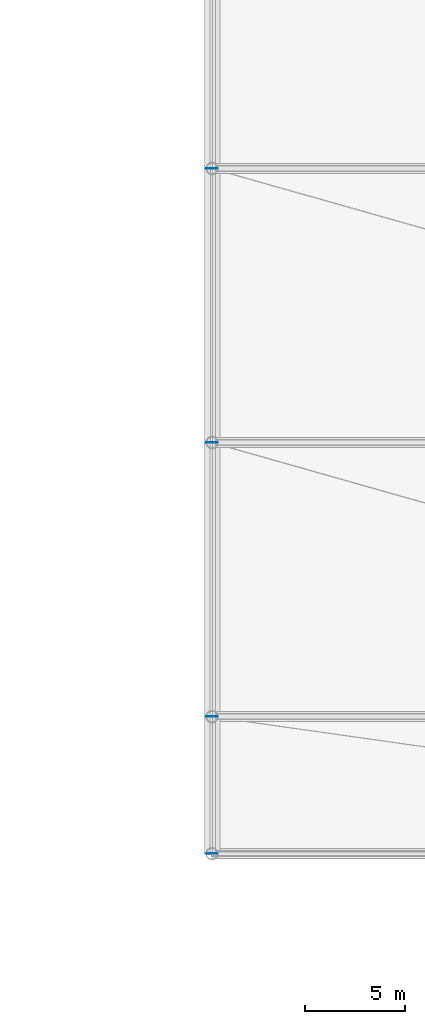
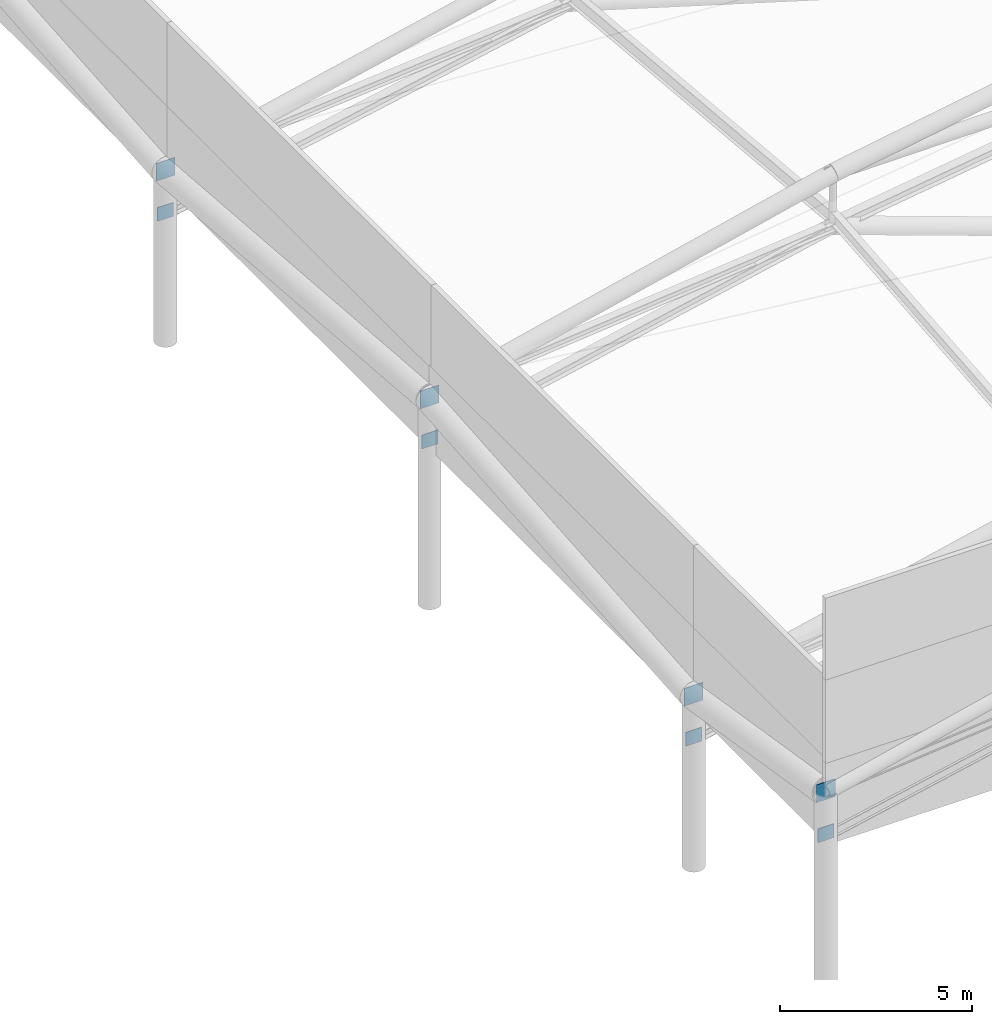
# One storey, part 79 of 113: 8 plates.
"""IFC4 building model written with IfcOpenShell, lengths in metres."""

from ifc_helpers import new_model, si_unit, direction, frame, origin, origin_2d, place, context, subcontext, project, spatial, rectangle, extrude, material, layer, layer_set, type_object, element, save


model = new_model("IFC4")

# Units and contexts
model_context = context("Model", 3, precision=1e-05, world=origin(), true_north=direction((0.0, 1.0)))
body_context = subcontext(model_context, "Body", "Model", "MODEL_VIEW")
ifc_project = project(units=[si_unit("LENGTHUNIT", "METRE"), si_unit("AREAUNIT", "SQUARE_METRE"), si_unit("VOLUMEUNIT", "CUBIC_METRE"), si_unit("PLANEANGLEUNIT", "RADIAN"), si_unit("MASSUNIT", "GRAM", prefix="KILO")], contexts=[model_context])

# Site, building, storey
site_placement = place(None, origin())
site = spatial("IfcSite", under=ifc_project, at=site_placement, CompositionType="ELEMENT")
building_placement = place(site_placement, origin())
building = spatial("IfcBuilding", under=site, at=building_placement, Name="Linyun Crest Stadium", CompositionType="ELEMENT")
storey_placement = place(building_placement, frame((0.0, 0.0, 26.39990234375)))
storey = spatial("IfcBuildingStorey", under=building, at=storey_placement, Name="L06", CompositionType="ELEMENT", Elevation=26.39990234375)

# Plates
ifc_material_1 = material(Name="Steel Q355C", Category="steel")
ifc_layer_1 = layer(ifc_material_1, 0.02001953125)
ifc_layer_set_1 = layer_set([ifc_layer_1], Name="Steel Q355C")
plate_type_1 = type_object("IfcPlateType", Name="EP01", PredefinedType="USERDEFINED", material=ifc_layer_set_1)
for number, where, z_axis, x_axis, name in (
    (1, (35.5, -46.0, 6.27294921875), (0.0, 0.0, 1.0), (1.0, 0.0, 0.0), "Canopy tip tube end plate EP01 110"),
    (2, (35.5, -39.125, 5.16796875), (0.0, 0.0, 1.0), (1.0, 0.0, 0.0), "Canopy tip tube end plate EP01 123"),
    (3, (35.5, -25.375, 6.27294921875), (0.0, 0.0, 1.0), (1.0, 0.0, 0.0), "Canopy tip tube end plate EP01 136"),
    (4, (35.5, -11.625, 5.16796875), (0.0, 0.0, 1.0), (1.0, 0.0, 0.0), "Canopy tip tube end plate EP01 149"),
):
    element("IfcPlate", number, at=place(storey_placement, frame(where, z_axis=z_axis, x_axis=x_axis)), inside=storey, type_object=plate_type_1, Name=name, ObjectType="END PLATE", PredefinedType="USERDEFINED", context=body_context, shape_type="SweptSolid", body=[
        extrude(rectangle(XDim=0.56005859375, YDim=0.02001953125, at=origin_2d()), origin(), (0.0, 0.0, 1.0), 0.56005859375),
    ])
ifc_material_2 = material(Name="Steel Q355C", Category="steel")
ifc_layer_2 = layer(ifc_material_2, 0.02392578125)
ifc_layer_set_2 = layer_set([ifc_layer_2], Name="Steel Q355C")
plate_type_2 = type_object("IfcPlateType", Name="NP01", PredefinedType="USERDEFINED", material=ifc_layer_set_2)
for number, where, z_axis, x_axis, name in (
    (5, (35.5, -46.0, 4.981201171875), (0.0, 0.0, 1.0), (1.0, 0.0, 0.0), "Roof bottom-chord node gusset plate NP01 116"),
    (6, (35.5, -39.125, 3.876220703125), (0.0, 0.0, 1.0), (1.0, 0.0, 0.0), "Roof bottom-chord node gusset plate NP01 129"),
    (7, (35.5, -25.375, 4.981201171875), (0.0, 0.0, 1.0), (1.0, 0.0, 0.0), "Roof bottom-chord node gusset plate NP01 142"),
    (8, (35.5, -11.625, 3.876220703125), (0.0, 0.0, 1.0), (1.0, 0.0, 0.0), "Roof bottom-chord node gusset plate NP01 155"),
):
    element("IfcPlate", number, at=place(storey_placement, frame(where, z_axis=z_axis, x_axis=x_axis)), inside=storey, type_object=plate_type_2, Name=name, ObjectType="GUSSET PLATE", PredefinedType="USERDEFINED", context=body_context, shape_type="SweptSolid", body=[
        extrude(rectangle(XDim=0.47998046875, YDim=0.02392578125, at=origin_2d()), origin(), (0.0, 0.0, 1.0), 0.43994140625),
    ])

save(model, "model.ifc")
